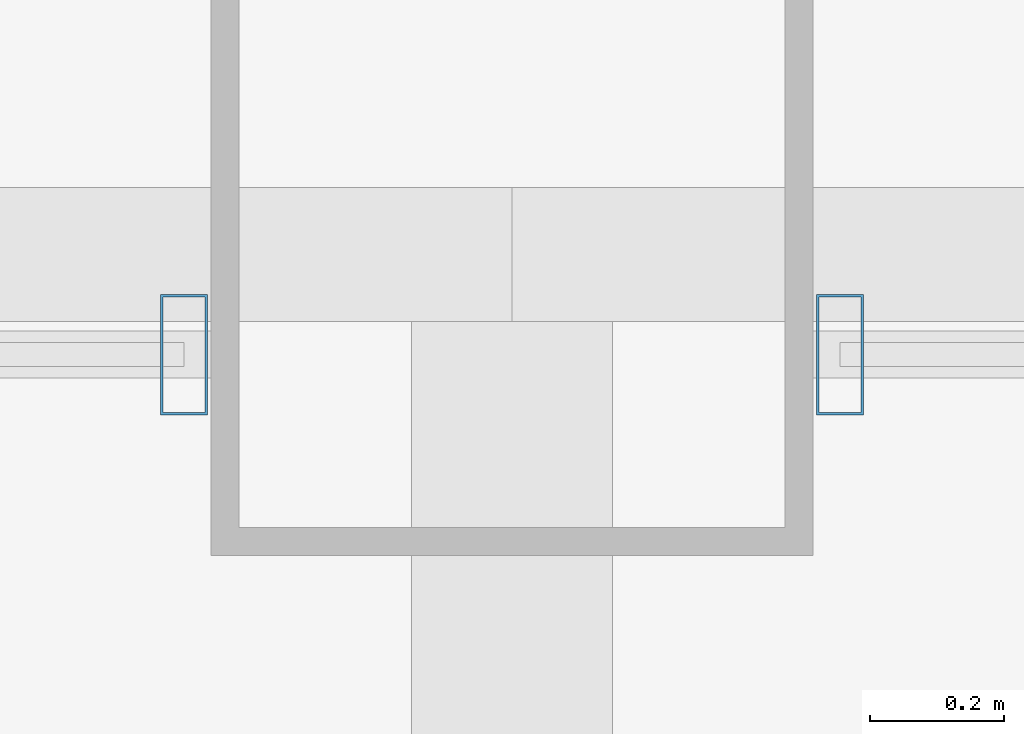
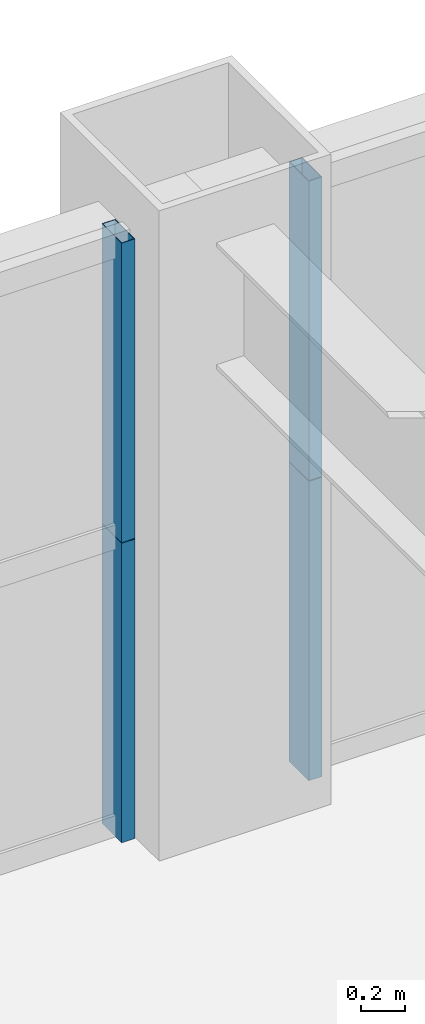
# One storey, part 26 of 38: 4 members, 2 elements without a shape of their own.
"""IFC4 building model written with IfcOpenShell, lengths in metres."""

from ifc_helpers import new_model, si_unit, direction, frame, origin, origin_2d, place, context, subcontext, project, spatial, hollow_rectangle, extrude, source, transform, mapped, material, layer, layer_set, material_profile, profile_set, type_object, element, aggregate, save


model = new_model("IFC4")

# Units and contexts
model_context = context("Model", 3, precision=1e-05, world=origin(), true_north=direction((0.0, 1.0)))
body_context = subcontext(model_context, "Body", "Model", "MODEL_VIEW")
ifc_project = project(units=[si_unit("LENGTHUNIT", "METRE"), si_unit("AREAUNIT", "SQUARE_METRE"), si_unit("VOLUMEUNIT", "CUBIC_METRE"), si_unit("PLANEANGLEUNIT", "RADIAN"), si_unit("MASSUNIT", "GRAM", prefix="KILO"), si_unit("THERMODYNAMICTEMPERATUREUNIT", "KELVIN"), si_unit("POWERUNIT", "WATT")], contexts=[model_context])

# Site, building, storey
site_placement = place(None, origin())
site = spatial("IfcSite", under=ifc_project, at=site_placement, CompositionType="ELEMENT")
building_placement = place(site_placement, origin())
building = spatial("IfcBuilding", under=site, at=building_placement, Name="Yuzanri Waterfront Tower", CompositionType="ELEMENT")
storey_placement = place(building_placement, frame((0.0, 0.0, 126.199951171875)))
storey = spatial("IfcBuildingStorey", under=building, at=storey_placement, Name="L33", CompositionType="ELEMENT", Elevation=126.199951171875)

# Curtain wall, members
ifc_material_1 = material(Name="Anodized Architectural Bronze", Category="metal")
ifc_layer = layer(ifc_material_1, 0.159912109375)
ifc_layer_set = layer_set([ifc_layer], Name="Anodized Architectural Bronze")
curtain_wall_type = type_object("IfcCurtainWallType", Name="Anodized Bronze Hotel Upper-Tier Solar-Control Unitized Curtain Wall 7800", PredefinedType="NOTDEFINED", material=ifc_layer_set)
curtain_wall_1_placement = place(storey_placement, origin())
curtain_wall_1 = element("IfcCurtainWall", 1, at=curtain_wall_1_placement, inside=storey, type_object=curtain_wall_type, Name="L33 Curtain Wall CW-L33-NL", PredefinedType="NOTDEFINED")
ifc_material_2 = material(Name="Anodized Architectural Bronze", Category="metal")
ifc_material_profile = material_profile(ifc_material_2, hollow_rectangle(XDim=0.070068359375, YDim=0.179931640625, WallThickness=0.00390625, at=origin_2d()), Name="CWM 70x180")
ifc_profile_set = profile_set([ifc_material_profile], Name="Anodized Architectural Bronze")
member_type = type_object("IfcMemberType", Name="Anodized Bronze Standard Curtain-Wall Mullion 70x180", PredefinedType="MULLION", material=ifc_profile_set)
shared_shape = source(origin(), body_context, "Body", "SweptSolid", [
    extrude(hollow_rectangle(XDim=0.070068359375, YDim=0.179931640625, WallThickness=0.00390625, at=origin_2d()), origin(), (0.0, 0.0, 1.0), 1.657958984375),
])
member_1_placement = place(storey_placement, frame((36.510009765625, 49.25, 0.0), z_axis=(0.0, 0.0, 1.0), x_axis=(1.0, 0.0, 0.0)))
member_1 = element("IfcMember", 2, at=member_1_placement, type_object=member_type, Name="CW-L33-NL Lower Mullion 02", PredefinedType="MULLION", context=body_context, shape_type="MappedRepresentation", body=[
    mapped(shared_shape, transform((0.0, 0.0, 0.0), scale=1.0)),
])
member_2_placement = place(storey_placement, frame((36.510009765625, 49.25, 1.662109375), z_axis=(0.0, 0.0, 1.0), x_axis=(1.0, 0.0, 0.0)))
member_2 = element("IfcMember", 3, at=member_2_placement, type_object=member_type, Name="CW-L33-NL Upper Mullion 02", PredefinedType="MULLION", context=body_context, shape_type="MappedRepresentation", body=[
    mapped(shared_shape, transform((0.0, 0.0, 0.0), scale=1.0)),
])
aggregate(curtain_wall_1, [member_1, member_2])

curtain_wall_2_placement = place(storey_placement, origin())
curtain_wall_2 = element("IfcCurtainWall", 4, at=curtain_wall_2_placement, inside=storey, type_object=curtain_wall_type, Name="L33 Curtain Wall CW-L33-NR", PredefinedType="NOTDEFINED")
member_3_placement = place(storey_placement, frame((37.489990234375, 49.25, 0.0), z_axis=(0.0, 0.0, 1.0), x_axis=(1.0, 0.0, 0.0)))
member_3 = element("IfcMember", 5, at=member_3_placement, type_object=member_type, Name="CW-L33-NR Lower Mullion 00", PredefinedType="MULLION", context=body_context, shape_type="MappedRepresentation", body=[
    mapped(shared_shape, transform((0.0, 0.0, 0.0), scale=1.0)),
])
member_4_placement = place(storey_placement, frame((37.489990234375, 49.25, 1.662109375), z_axis=(0.0, 0.0, 1.0), x_axis=(1.0, 0.0, 0.0)))
member_4 = element("IfcMember", 6, at=member_4_placement, type_object=member_type, Name="CW-L33-NR Upper Mullion 00", PredefinedType="MULLION", context=body_context, shape_type="MappedRepresentation", body=[
    mapped(shared_shape, transform((0.0, 0.0, 0.0), scale=1.0)),
])
aggregate(curtain_wall_2, [member_3, member_4])

save(model, "model.ifc")
